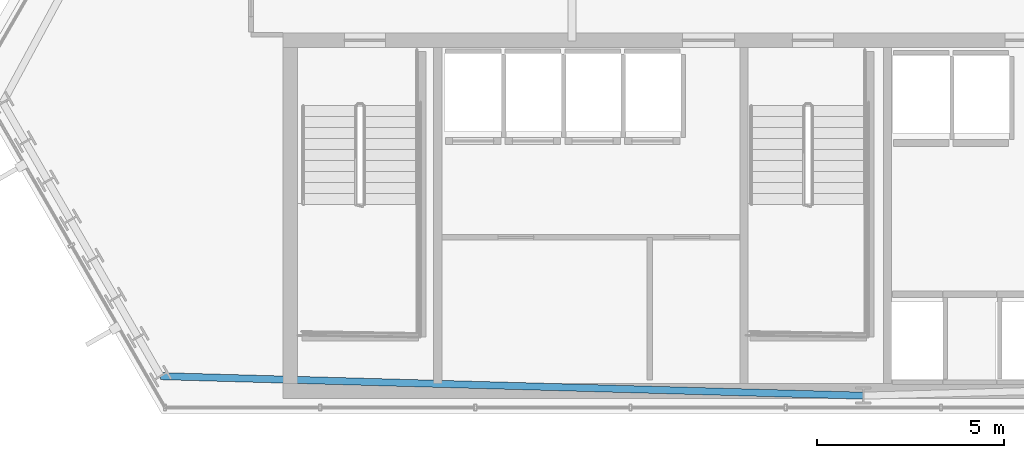
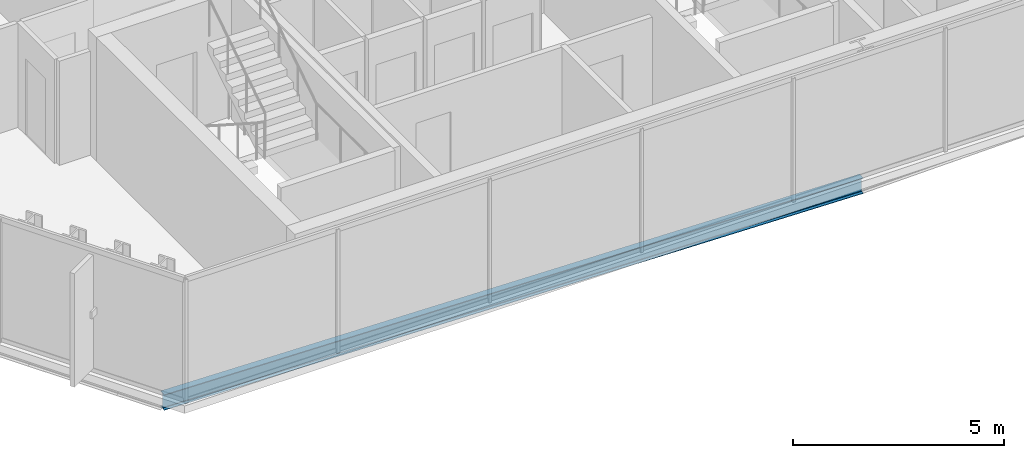
# One storey, part 4 of 35: 1 beam.
"""IFC4 building model written with IfcOpenShell, lengths in metres."""

from ifc_helpers import new_model, si_unit, direction, frame, origin, origin_2d, place, context, subcontext, project, spatial, i_section, extrude, material, material_profile, profile_set, type_object, element, save


model = new_model("IFC4")

# Units and contexts
model_context = context("Model", 3, precision=1e-05, world=origin(), true_north=direction((0.0, 1.0)))
body_context = subcontext(model_context, "Body", "Model", "MODEL_VIEW")
ifc_project = project(units=[si_unit("LENGTHUNIT", "METRE"), si_unit("AREAUNIT", "SQUARE_METRE"), si_unit("VOLUMEUNIT", "CUBIC_METRE"), si_unit("PLANEANGLEUNIT", "RADIAN"), si_unit("MASSUNIT", "GRAM", prefix="KILO")], contexts=[model_context])

# Site, building, storey
site_placement = place(None, origin())
site = spatial("IfcSite", under=ifc_project, at=site_placement, CompositionType="ELEMENT")
building_placement = place(site_placement, origin())
building = spatial("IfcBuilding", under=site, at=building_placement, Name="Ndaravel Arena Tower", CompositionType="ELEMENT")
storey_placement = place(building_placement, frame((0.0, 0.0, 172.60009765625)))
storey = spatial("IfcBuildingStorey", under=building, at=storey_placement, Name="L41", CompositionType="ELEMENT", Elevation=172.60009765625)

# Beam
ifc_material = material(Name="Steel S355", Category="steel")
ifc_material_profile = material_profile(ifc_material, i_section(OverallWidth=0.18994140625, OverallDepth=0.449951171875, WebThickness=0.009521484375, FlangeThickness=0.0146484375, FilletRadius=0.02099609375, at=origin_2d()), Name="IPE 450")
ifc_profile_set = profile_set([ifc_material_profile], Name="Steel S355")
beam_type = type_object("IfcBeamType", Name="BM-SPAN-IPE450", PredefinedType="SPANDREL", material=ifc_profile_set)
beam_placement = place(storey_placement, frame((23.17919921875, 6.00341796875, -0.445068359375), z_axis=(0.999613480309, -0.027800898972, 0.0), x_axis=(0.027800898972, 0.999613480309, 0.0)))
element("IfcBeam", 1, at=beam_placement, inside=storey, type_object=beam_type, Name="L41 Perimeter Spandrel Beam SP-27", PredefinedType="SPANDREL", context=body_context, shape_type="SweptSolid", body=[
    extrude(i_section(OverallWidth=0.18994140625, OverallDepth=0.449951171875, WebThickness=0.009521484375, FlangeThickness=0.0146484375, FilletRadius=0.02099609375, at=origin_2d()), origin(), (0.0, 0.0, 1.0), 18.828125),
])

save(model, "model.ifc")
